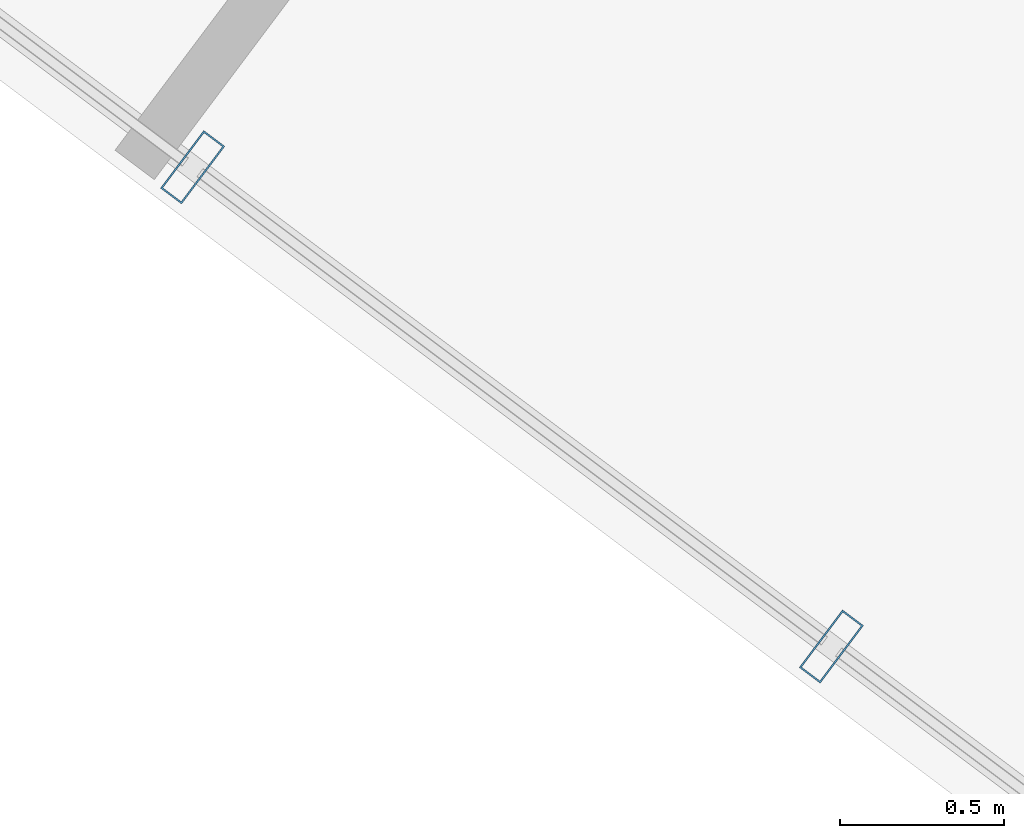
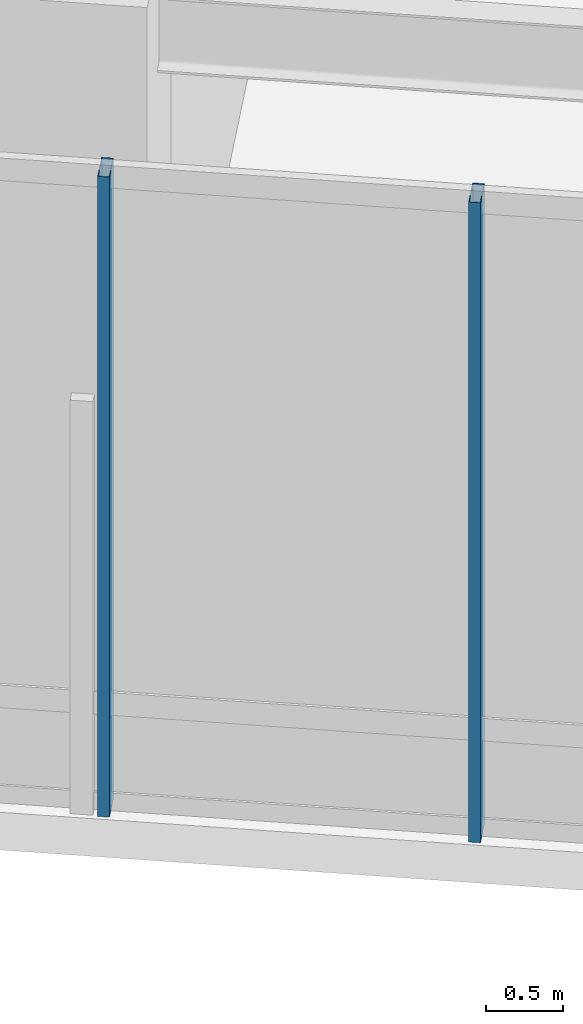
# One storey, part 6 of 38: 2 members, 1 element without a shape of its own.
"""IFC4 building model written with IfcOpenShell, lengths in metres."""

from ifc_helpers import new_model, si_unit, direction, frame, origin, origin_2d, place, context, subcontext, project, spatial, hollow_rectangle, extrude, material, layer, layer_set, material_profile, profile_set, type_object, element, aggregate, save


model = new_model("IFC4")

# Units and contexts
model_context = context("Model", 3, precision=1e-05, world=origin(), true_north=direction((0.0, 1.0)))
body_context = subcontext(model_context, "Body", "Model", "MODEL_VIEW")
ifc_project = project(units=[si_unit("LENGTHUNIT", "METRE"), si_unit("AREAUNIT", "SQUARE_METRE"), si_unit("VOLUMEUNIT", "CUBIC_METRE"), si_unit("PLANEANGLEUNIT", "RADIAN"), si_unit("MASSUNIT", "GRAM", prefix="KILO")], contexts=[model_context])

# Site, building, storey
site_placement = place(None, origin())
site = spatial("IfcSite", under=ifc_project, at=site_placement, CompositionType="ELEMENT")
building_placement = place(site_placement, origin())
building = spatial("IfcBuilding", under=site, at=building_placement, Name="Hatsunagi Terrace Concourse", CompositionType="ELEMENT")
storey_placement = place(building_placement, frame((0.0, 0.0, 21.60009765625)))
storey = spatial("IfcBuildingStorey", under=building, at=storey_placement, Name="L05", CompositionType="ELEMENT", Elevation=21.60009765625)

# Curtain wall, members
ifc_material_1 = material(Name="Anodised Aluminium Alloy 6063-T5", Category="aluminium")
ifc_layer = layer(ifc_material_1, 0.199951171875)
ifc_layer_set = layer_set([ifc_layer], Name="PodiumStorefront_CW01")
curtain_wall_type = type_object("IfcCurtainWallType", Name="PodiumStorefront_CW01", PredefinedType="NOTDEFINED", material=ifc_layer_set)
curtain_wall_placement = place(storey_placement, origin())
curtain_wall = element("IfcCurtainWall", 1, at=curtain_wall_placement, inside=storey, type_object=curtain_wall_type, Name="Unitised Curtain Wall CW-01 CW-L05-05", PredefinedType="NOTDEFINED")
ifc_material_2 = material(Name="Anodised Aluminium Alloy 6063-T5", Category="aluminium")
ifc_material_profile = material_profile(ifc_material_2, hollow_rectangle(XDim=0.080078125, YDim=0.219970703125, WallThickness=0.0048828125, at=origin_2d()), Name="ALU-MUL-220x80x5")
ifc_profile_set = profile_set([ifc_material_profile], Name="Anodised Aluminium Alloy 6063-T5")
member_type = type_object("IfcMemberType", Name="CurtainWallMullion_Heavy_220x80", PredefinedType="MULLION", material=ifc_profile_set)
member_1_placement = place(storey_placement, frame((46.7119140625, 7.44091796875, 0.0), z_axis=(0.0, 0.0, 1.0), x_axis=(-0.800003116929, 0.599995844072, 0.0)))
member_1 = element("IfcMember", 2, at=member_1_placement, type_object=member_type, Name="Curtain Wall Mullion MUL-01", PredefinedType="MULLION", context=body_context, shape_type="SweptSolid", body=[
    extrude(hollow_rectangle(XDim=0.080078125, YDim=0.219970703125, WallThickness=0.0048828125, at=origin_2d()), origin(), (0.0, 0.0, 1.0), 5.099853515625),
])
member_2_placement = place(storey_placement, frame((44.760986328125, 8.905029296875, 0.0), z_axis=(0.0, 0.0, 1.0), x_axis=(-0.800003116929, 0.599995844072, 0.0)))
member_2 = element("IfcMember", 3, at=member_2_placement, type_object=member_type, Name="Curtain Wall Mullion MUL-01", PredefinedType="MULLION", context=body_context, shape_type="SweptSolid", body=[
    extrude(hollow_rectangle(XDim=0.080078125, YDim=0.219970703125, WallThickness=0.0048828125, at=origin_2d()), origin(), (0.0, 0.0, 1.0), 5.099853515625),
])
aggregate(curtain_wall, [member_1, member_2])

save(model, "model.ifc")
